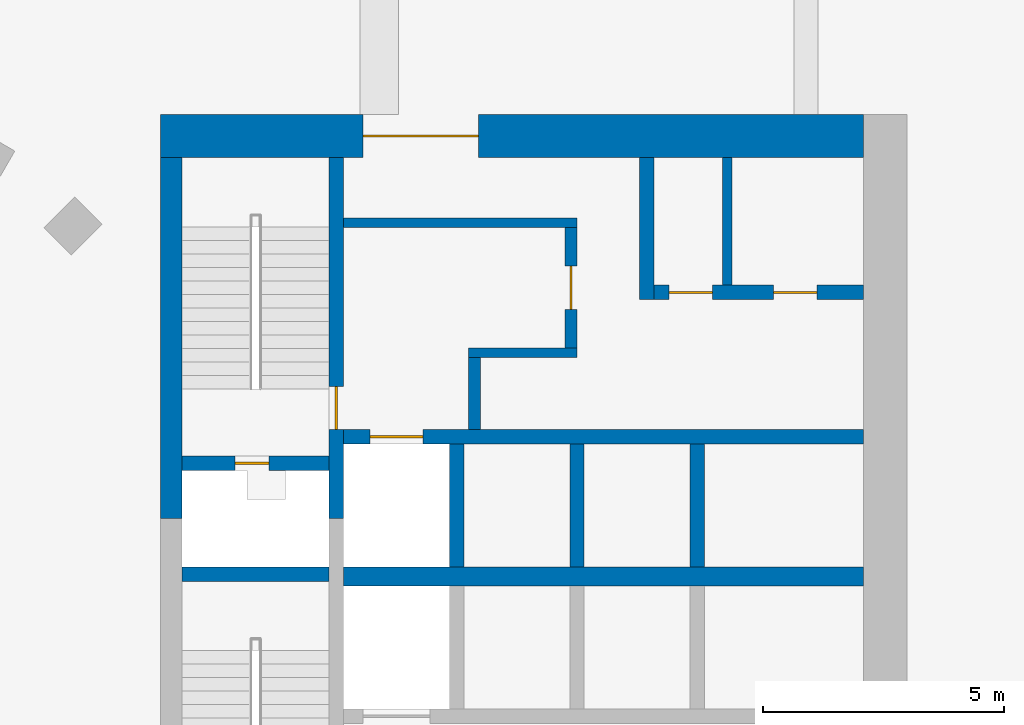
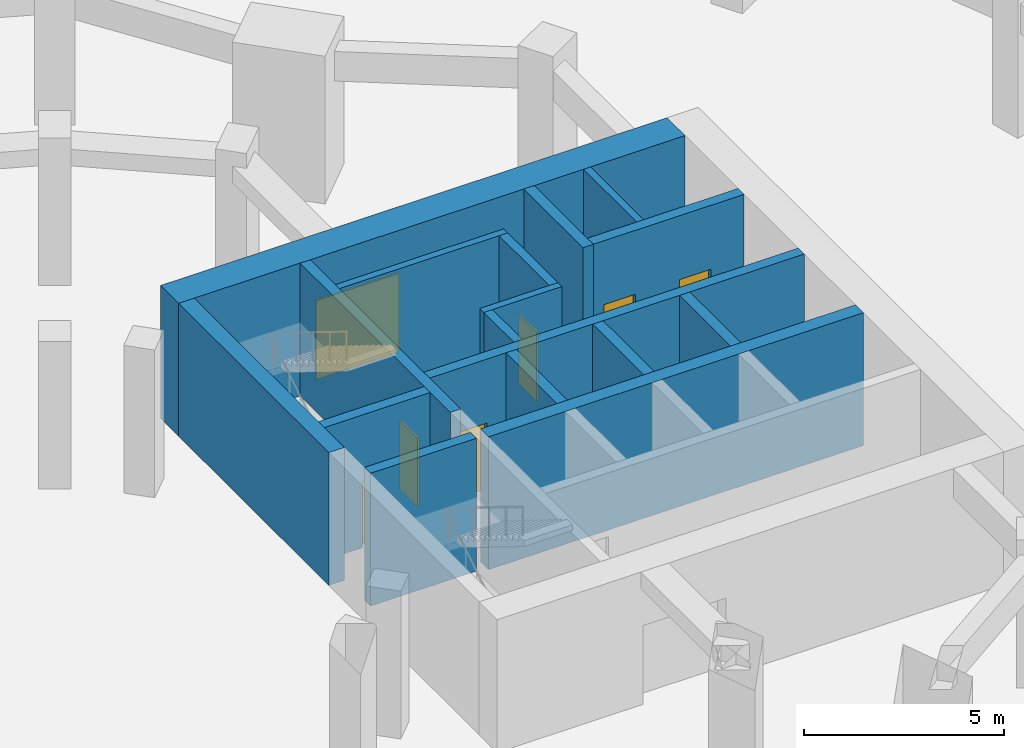
# One storey, part 5 of 7: 17 walls, 7 doors, 7 openings.
"""IFC4 building model written with IfcOpenShell, lengths in metres."""

from ifc_helpers import new_model, si_unit, direction, frame, frame_2d, origin, place, context, subcontext, project, spatial, rectangle, extrude, material, layer, layer_set, type_object, element, fill, save


model = new_model("IFC4")

# Units and contexts
model_context = context("Model", 3, precision=1e-05, world=origin(), true_north=direction((0.0, 1.0)))
body_context = subcontext(model_context, "Body", "Model", "MODEL_VIEW")
ifc_project = project(units=[si_unit("LENGTHUNIT", "METRE"), si_unit("AREAUNIT", "SQUARE_METRE"), si_unit("VOLUMEUNIT", "CUBIC_METRE"), si_unit("PLANEANGLEUNIT", "RADIAN"), si_unit("MASSUNIT", "GRAM", prefix="KILO")], contexts=[model_context])

# Site, building, storey
site_placement = place(None, origin())
site = spatial("IfcSite", under=ifc_project, at=site_placement, CompositionType="ELEMENT")
building_placement = place(site_placement, origin())
building = spatial("IfcBuilding", under=site, at=building_placement, Name="Torre Brocal", CompositionType="ELEMENT")
storey_placement = place(building_placement, frame((0.0, 0.0, -4.5)))
storey = spatial("IfcBuildingStorey", under=building, at=storey_placement, Name="B1", CompositionType="ELEMENT", Elevation=-4.5)

# Walls
ifc_material_1 = material(Name="Masonry block", Category="masonry")
ifc_layer_1 = layer(ifc_material_1, 0.199951171875)
ifc_layer_set_1 = layer_set([ifc_layer_1], Name="Masonry block")
wall_type_1 = type_object("IfcWallType", Name="CORE PARTITION 200 UNDER 450 SLAB", PredefinedType="PARTITIONING", material=ifc_layer_set_1)
wall_1_placement = place(storey_placement, frame((99.672607421875, 79.85009765625, 0.0), z_axis=(0.0, 0.0, 1.0), x_axis=(0.0, 1.0, 0.0)))
element("IfcWall", 1, at=wall_1_placement, inside=storey, type_object=wall_type_1, Name="Wall CP200-S450", PredefinedType="PARTITIONING", context=body_context, shape_type="SweptSolid", body=[
    extrude(rectangle(XDim=2.64990234375, YDim=0.199951171875, at=frame_2d((1.324951171875, 0.0))), origin(), (0.0, 0.0, 1.0), 4.050048828125),
])
ifc_material_2 = material(Name="Concrete C80", Category="concrete")
ifc_layer_2 = layer(ifc_material_2, 0.199951171875)
ifc_layer_set_2 = layer_set([ifc_layer_2], Name="Concrete C80")
wall_type_2 = type_object("IfcWallType", Name="CORE WALL 200 C80 UNDER 450 SLAB", PredefinedType="SHEAR", material=ifc_layer_set_2)
wall_2_placement = place(storey_placement, frame((91.699951171875, 81.14990234375, 0.0), z_axis=(0.0, 0.0, 1.0), x_axis=(1.0, 0.0, 0.0)))
element("IfcWall", 2, at=wall_2_placement, inside=storey, type_object=wall_type_2, Name="Wall CW200-80-S450", PredefinedType="SHEAR", context=body_context, shape_type="SweptSolid", body=[
    extrude(rectangle(XDim=4.85009765625, YDim=0.199951171875, at=frame_2d((2.425048828125, 0.0))), origin(), (0.0, 0.0, 1.0), 4.050048828125),
])
wall_3_placement = place(storey_placement, frame((94.300048828125, 78.449951171875, 0.0), z_axis=(0.0, 0.0, 1.0), x_axis=(1.0, 0.0, 0.0)))
element("IfcWall", 3, at=wall_3_placement, inside=storey, type_object=wall_type_2, Name="Wall CW200-80-S450", PredefinedType="SHEAR", context=body_context, shape_type="SweptSolid", body=[
    extrude(rectangle(XDim=2.25, YDim=0.199951171875, at=frame_2d((1.125, 0.0))), origin(), (0.0, 0.0, 1.0), 4.050048828125),
])

# Wall, opening, door
ifc_material_3 = material(Name="Concrete C80", Category="concrete")
ifc_layer_3 = layer(ifc_material_3, 0.25)
ifc_layer_set_3 = layer_set([ifc_layer_3], Name="Concrete C80")
wall_type_3 = type_object("IfcWallType", Name="CORE WALL 250 C80 UNDER 450 SLAB", PredefinedType="SHEAR", material=ifc_layer_set_3)
wall_4_placement = place(storey_placement, frame((96.425048828125, 78.550048828125, 0.0), z_axis=(0.0, 0.0, 1.0), x_axis=(0.0, 1.0, 0.0)))
wall_4 = element("IfcWall", 4, at=wall_4_placement, inside=storey, type_object=wall_type_3, Name="Wall CW250-80-S450", PredefinedType="SHEAR", context=body_context, shape_type="SweptSolid", body=[
    extrude(rectangle(XDim=2.5, YDim=0.25, at=frame_2d((1.25, 0.0))), origin(), (0.0, 0.0, 1.0), 4.050048828125),
])
opening_1_placement = place(wall_4_placement, frame((0.800048828125, 0.0, 0.0)))
opening_1 = element("IfcOpeningElement", 5, at=opening_1_placement, cuts=wall_4, Name="Opening E-D15", PredefinedType="OPENING", context=body_context, shape_type="SweptSolid", body=[
    extrude(rectangle(XDim=0.89990234375, YDim=2.10009765625, at=frame_2d((0.449951171875, 1.050048828125))), frame((0.0, 0.135009765625, 0.0), z_axis=(0.0, -1.0, 0.0), x_axis=(1.0, 0.0, 0.0)), (0.0, 0.0, 1.0), 0.27001953125),
])
ifc_material_4 = material(Name="Steel A653", Category="steel")
door_type_1 = type_object("IfcDoorType", Name="LOBBY DOOR FD120 900X2100", OperationType="SINGLE_SWING_RIGHT", PredefinedType="DOOR", material=ifc_material_4)
door_1_placement = place(opening_1_placement, origin())
door_1 = element("IfcDoor", 6, at=door_1_placement, inside=storey, type_object=door_type_1, Name="Door E-D15", OperationType="SINGLE_SWING_LEFT", OverallHeight=2.10009765625, OverallWidth=0.89990234375, PredefinedType="DOOR", context=body_context, shape_type="SweptSolid", body=[
    extrude(rectangle(XDim=0.89990234375, YDim=2.10009765625, at=frame_2d((0.449951171875, 1.050048828125))), frame((0.0, 0.02490234375, 0.0), z_axis=(0.0, -1.0, 0.0), x_axis=(1.0, 0.0, 0.0)), (0.0, 0.0, 1.0), 0.050048828125),
])
fill(opening_1, door_1)

# Wall
wall_5_placement = place(storey_placement, frame((94.425048828125, 76.85009765625, 0.0), z_axis=(0.0, 0.0, 1.0), x_axis=(0.0, 1.0, 0.0)))
element("IfcWall", 7, at=wall_5_placement, inside=storey, type_object=wall_type_3, Name="Wall CW250-80-S450", PredefinedType="SHEAR", context=body_context, shape_type="SweptSolid", body=[
    extrude(rectangle(XDim=1.5, YDim=0.25, at=frame_2d((0.75, 0.0))), origin(), (0.0, 0.0, 1.0), 4.050048828125),
])

# Wall, opening, door
ifc_material_5 = material(Name="Concrete C80", Category="concrete")
ifc_layer_4 = layer(ifc_material_5, 0.300048828125)
ifc_layer_set_4 = layer_set([ifc_layer_4], Name="Concrete C80")
wall_type_4 = type_object("IfcWallType", Name="CORE WALL 300 C80 UNDER 450 SLAB", PredefinedType="SHEAR", material=ifc_layer_set_4)
wall_6_placement = place(storey_placement, frame((91.550048828125, 75.0, 0.0), z_axis=(0.0, 0.0, 1.0), x_axis=(0.0, 1.0, 0.0)))
wall_6 = element("IfcWall", 8, at=wall_6_placement, inside=storey, type_object=wall_type_4, Name="Wall CW300-80-S450", PredefinedType="SHEAR", context=body_context, shape_type="SweptSolid", body=[
    extrude(rectangle(XDim=7.5, YDim=0.300048828125, at=frame_2d((3.75, 0.0))), origin(), (0.0, 0.0, 1.0), 4.050048828125),
])
opening_2_placement = place(wall_6_placement, frame((1.85009765625, 0.0, 0.0)))
opening_2 = element("IfcOpeningElement", 9, at=opening_2_placement, cuts=wall_6, Name="Opening E-D02", PredefinedType="OPENING", context=body_context, shape_type="SweptSolid", body=[
    extrude(rectangle(XDim=0.89990234375, YDim=2.10009765625, at=frame_2d((0.449951171875, 1.050048828125))), frame((0.0, 0.159912109375, 0.0), z_axis=(0.0, -1.0, 0.0), x_axis=(1.0, 0.0, 0.0)), (0.0, 0.0, 1.0), 0.320068359375),
])
ifc_material_6 = material(Name="Steel A653", Category="steel")
door_type_2 = type_object("IfcDoorType", Name="STAIR DOOR FD120 900X2100", OperationType="SINGLE_SWING_RIGHT", PredefinedType="DOOR", material=ifc_material_6)
door_2_placement = place(opening_2_placement, origin())
door_2 = element("IfcDoor", 10, at=door_2_placement, inside=storey, type_object=door_type_2, Name="Door E-D02", OperationType="SINGLE_SWING_LEFT", OverallHeight=2.10009765625, OverallWidth=0.89990234375, PredefinedType="DOOR", context=body_context, shape_type="SweptSolid", body=[
    extrude(rectangle(XDim=0.89990234375, YDim=2.10009765625, at=frame_2d((0.449951171875, 1.050048828125))), frame((0.0, 0.02490234375, 0.0), z_axis=(0.0, -1.0, 0.0), x_axis=(1.0, 0.0, 0.0)), (0.0, 0.0, 1.0), 0.050048828125),
])
fill(opening_2, door_2)

wall_7_placement = place(storey_placement, frame((88.35009765625, 76.14990234375, 0.0), z_axis=(0.0, 0.0, 1.0), x_axis=(1.0, 0.0, 0.0)))
wall_7 = element("IfcWall", 11, at=wall_7_placement, inside=storey, type_object=wall_type_4, Name="Wall CW300-80-S450", PredefinedType="SHEAR", context=body_context, shape_type="SweptSolid", body=[
    extrude(rectangle(XDim=3.0498046875, YDim=0.300048828125, at=frame_2d((1.52490234375, 0.0))), origin(), (0.0, 0.0, 1.0), 4.050048828125),
])
opening_3_placement = place(wall_7_placement, frame((1.10009765625, 0.0, 0.0)))
opening_3 = element("IfcOpeningElement", 12, at=opening_3_placement, cuts=wall_7, Name="Opening E-D01", PredefinedType="OPENING", context=body_context, shape_type="SweptSolid", body=[
    extrude(rectangle(XDim=0.699951171875, YDim=2.0, at=frame_2d((0.35009765625, 1.0))), frame((0.0, 0.159912109375, 0.0), z_axis=(0.0, -1.0, 0.0), x_axis=(1.0, 0.0, 0.0)), (0.0, 0.0, 1.0), 0.320068359375),
])
ifc_material_7 = material(Name="Steel A653", Category="steel")
door_type_3 = type_object("IfcDoorType", Name="RISER DOOR FD120 700X2000", OperationType="SINGLE_SWING_LEFT", PredefinedType="DOOR", material=ifc_material_7)
door_3_placement = place(opening_3_placement, frame((0.699951171875, 0.0, 0.0), z_axis=(0.0, 0.0, 1.0), x_axis=(-1.0, 0.0, 0.0)))
door_3 = element("IfcDoor", 13, at=door_3_placement, inside=storey, type_object=door_type_3, Name="Door E-D01", OperationType="SINGLE_SWING_RIGHT", OverallHeight=2.0, OverallWidth=0.699951171875, PredefinedType="DOOR", context=body_context, shape_type="SweptSolid", body=[
    extrude(rectangle(XDim=0.699951171875, YDim=2.0, at=frame_2d((0.35009765625, 1.0))), frame((0.0, 0.02490234375, 0.0), z_axis=(0.0, -1.0, 0.0), x_axis=(1.0, 0.0, 0.0)), (0.0, 0.0, 1.0), 0.050048828125),
])
fill(opening_3, door_3)

# Wall
wall_8_placement = place(storey_placement, frame((88.35009765625, 73.85009765625, 0.0), z_axis=(0.0, 0.0, 1.0), x_axis=(1.0, 0.0, 0.0)))
element("IfcWall", 14, at=wall_8_placement, inside=storey, type_object=wall_type_4, Name="Wall CW300-80-S450", PredefinedType="SHEAR", context=body_context, shape_type="SweptSolid", body=[
    extrude(rectangle(XDim=3.0498046875, YDim=0.300048828125, at=frame_2d((1.52490234375, 0.0))), origin(), (0.0, 0.0, 1.0), 4.050048828125),
])

# Wall, opening, door
wall_9_placement = place(storey_placement, frame((91.699951171875, 76.699951171875, 0.0), z_axis=(0.0, 0.0, 1.0), x_axis=(1.0, 0.0, 0.0)))
wall_9 = element("IfcWall", 15, at=wall_9_placement, inside=storey, type_object=wall_type_4, Name="Wall CW300-80-S450", PredefinedType="SHEAR", context=body_context, shape_type="SweptSolid", body=[
    extrude(rectangle(XDim=10.800048828125, YDim=0.300048828125, at=frame_2d((5.39990234375, 0.0))), origin(), (0.0, 0.0, 1.0), 4.050048828125),
])
opening_4_placement = place(wall_9_placement, frame((0.550048828125, 0.0, 0.0)))
opening_4 = element("IfcOpeningElement", 16, at=opening_4_placement, cuts=wall_9, Name="Opening LD", PredefinedType="OPENING", context=body_context, shape_type="SweptSolid", body=[
    extrude(rectangle(XDim=1.10009765625, YDim=2.10009765625, at=frame_2d((0.550048828125, 1.050048828125))), frame((0.0, 0.159912109375, 0.0), z_axis=(0.0, -1.0, 0.0), x_axis=(1.0, 0.0, 0.0)), (0.0, 0.0, 1.0), 0.320068359375),
])
ifc_material_8 = material(Name="Stainless steel AISI 316", Category="steel")
door_type_4 = type_object("IfcDoorType", Name="LIFT LANDING DOOR 1100X2100", OperationType="DOUBLE_DOOR_SLIDING", PredefinedType="DOOR", material=ifc_material_8)
door_4_placement = place(opening_4_placement, origin())
door_4 = element("IfcDoor", 17, at=door_4_placement, inside=storey, type_object=door_type_4, Name="Door LD", OperationType="DOUBLE_DOOR_SLIDING", OverallHeight=2.10009765625, OverallWidth=1.10009765625, PredefinedType="DOOR", context=body_context, shape_type="SweptSolid", body=[
    extrude(rectangle(XDim=1.10009765625, YDim=2.10009765625, at=frame_2d((0.550048828125, 1.050048828125))), frame((0.0, 0.02490234375, 0.0), z_axis=(0.0, -1.0, 0.0), x_axis=(1.0, 0.0, 0.0)), (0.0, 0.0, 1.0), 0.050048828125),
])
fill(opening_4, door_4)

# Walls
for number, where, z_axis, x_axis, name in (
    (18, (94.050048828125, 74.0, 0.0), (0.0, 0.0, 1.0), (0.0, 1.0, 0.0), "Wall CW300-80-S450"),
    (19, (96.550048828125, 74.0, 0.0), (0.0, 0.0, 1.0), (0.0, 1.0, 0.0), "Wall CW300-80-S450"),
    (20, (99.050048828125, 74.0, 0.0), (0.0, 0.0, 1.0), (0.0, 1.0, 0.0), "Wall CW300-80-S450"),
):
    element("IfcWall", number, at=place(storey_placement, frame(where, z_axis=z_axis, x_axis=x_axis)), inside=storey, type_object=wall_type_4, Name=name, PredefinedType="SHEAR", context=body_context, shape_type="SweptSolid", body=[
        extrude(rectangle(XDim=2.550048828125, YDim=0.300048828125, at=frame_2d((1.27490234375, 0.0))), origin(), (0.0, 0.0, 1.0), 4.050048828125),
    ])
wall_10_placement = place(storey_placement, frame((98.0, 79.550048828125, 0.0), z_axis=(0.0, 0.0, 1.0), x_axis=(0.0, 1.0, 0.0)))
element("IfcWall", 21, at=wall_10_placement, inside=storey, type_object=wall_type_4, Name="Wall CW300-80-S450", PredefinedType="SHEAR", context=body_context, shape_type="SweptSolid", body=[
    extrude(rectangle(XDim=2.949951171875, YDim=0.300048828125, at=frame_2d((1.47509765625, 0.0))), origin(), (0.0, 0.0, 1.0), 4.050048828125),
])

# Wall, openings, doors
wall_11_placement = place(storey_placement, frame((98.14990234375, 79.699951171875, 0.0), z_axis=(0.0, 0.0, 1.0), x_axis=(1.0, 0.0, 0.0)))
wall_11 = element("IfcWall", 22, at=wall_11_placement, inside=storey, type_object=wall_type_4, Name="Wall CW300-80-S450", PredefinedType="SHEAR", context=body_context, shape_type="SweptSolid", body=[
    extrude(rectangle(XDim=4.35009765625, YDim=0.300048828125, at=frame_2d((2.175048828125, 0.0))), origin(), (0.0, 0.0, 1.0), 4.050048828125),
])
opening_5_placement = place(wall_11_placement, frame((0.311279296875, 0.0, 0.0)))
opening_5 = element("IfcOpeningElement", 23, at=opening_5_placement, cuts=wall_11, Name="Opening E-D05", PredefinedType="OPENING", context=body_context, shape_type="SweptSolid", body=[
    extrude(rectangle(XDim=0.89990234375, YDim=2.10009765625, at=frame_2d((0.449951171875, 1.050048828125))), frame((0.0, 0.159912109375, 0.0), z_axis=(0.0, -1.0, 0.0), x_axis=(1.0, 0.0, 0.0)), (0.0, 0.0, 1.0), 0.320068359375),
])
opening_6_placement = place(wall_11_placement, frame((2.486083984375, 0.0, 0.0)))
opening_6 = element("IfcOpeningElement", 24, at=opening_6_placement, cuts=wall_11, Name="Opening E-D06", PredefinedType="OPENING", context=body_context, shape_type="SweptSolid", body=[
    extrude(rectangle(XDim=0.89990234375, YDim=2.10009765625, at=frame_2d((0.449951171875, 1.050048828125))), frame((0.0, 0.159912109375, 0.0), z_axis=(0.0, -1.0, 0.0), x_axis=(1.0, 0.0, 0.0)), (0.0, 0.0, 1.0), 0.320068359375),
])
ifc_material_9 = material(Name="Steel A653", Category="steel")
door_type_5 = type_object("IfcDoorType", Name="ROOM DOOR FD30S 900X2100", OperationType="SINGLE_SWING_LEFT", PredefinedType="DOOR", material=ifc_material_9)
door_5_placement = place(opening_5_placement, origin())
door_5 = element("IfcDoor", 25, at=door_5_placement, inside=storey, type_object=door_type_5, Name="Door E-D05", OperationType="SINGLE_SWING_RIGHT", OverallHeight=2.10009765625, OverallWidth=0.89990234375, PredefinedType="DOOR", context=body_context, shape_type="SweptSolid", body=[
    extrude(rectangle(XDim=0.89990234375, YDim=2.10009765625, at=frame_2d((0.449951171875, 1.050048828125))), frame((0.0, 0.02490234375, 0.0), z_axis=(0.0, -1.0, 0.0), x_axis=(1.0, 0.0, 0.0)), (0.0, 0.0, 1.0), 0.050048828125),
])
fill(opening_5, door_5)
door_6_placement = place(opening_6_placement, origin())
door_6 = element("IfcDoor", 26, at=door_6_placement, inside=storey, type_object=door_type_5, Name="Door E-D06", OperationType="SINGLE_SWING_LEFT", OverallHeight=2.10009765625, OverallWidth=0.89990234375, PredefinedType="DOOR", context=body_context, shape_type="SweptSolid", body=[
    extrude(rectangle(XDim=0.89990234375, YDim=2.10009765625, at=frame_2d((0.449951171875, 1.050048828125))), frame((0.0, 0.02490234375, 0.0), z_axis=(0.0, -1.0, 0.0), x_axis=(1.0, 0.0, 0.0)), (0.0, 0.0, 1.0), 0.050048828125),
])
fill(opening_6, door_6)

# Walls
ifc_material_10 = material(Name="Concrete C80", Category="concrete")
ifc_layer_5 = layer(ifc_material_10, 0.39990234375)
ifc_layer_set_5 = layer_set([ifc_layer_5], Name="Concrete C80")
wall_type_5 = type_object("IfcWallType", Name="CORE WALL 400 C80 UNDER 450 SLAB", PredefinedType="SHEAR", material=ifc_layer_set_5)
wall_12_placement = place(storey_placement, frame((91.699951171875, 73.800048828125, 0.0), z_axis=(0.0, 0.0, 1.0), x_axis=(1.0, 0.0, 0.0)))
element("IfcWall", 27, at=wall_12_placement, inside=storey, type_object=wall_type_5, Name="Wall CW400-80-S450", PredefinedType="SHEAR", context=body_context, shape_type="SweptSolid", body=[
    extrude(rectangle(XDim=10.800048828125, YDim=0.39990234375, at=frame_2d((5.39990234375, 0.0))), origin(), (0.0, 0.0, 1.0), 4.050048828125),
])
ifc_material_11 = material(Name="Concrete C80", Category="concrete")
ifc_layer_6 = layer(ifc_material_11, 0.449951171875)
ifc_layer_set_6 = layer_set([ifc_layer_6], Name="Concrete C80")
wall_type_6 = type_object("IfcWallType", Name="CORE WALL 450 C80 UNDER 450 SLAB", PredefinedType="SHEAR", material=ifc_layer_set_6)
wall_13_placement = place(storey_placement, frame((88.125, 75.0, 0.0), z_axis=(0.0, 0.0, 1.0), x_axis=(0.0, 1.0, 0.0)))
element("IfcWall", 28, at=wall_13_placement, inside=storey, type_object=wall_type_6, Name="Wall CW450-80-S450", PredefinedType="SHEAR", context=body_context, shape_type="SweptSolid", body=[
    extrude(rectangle(XDim=7.5, YDim=0.449951171875, at=frame_2d((3.75, 0.0))), origin(), (0.0, 0.0, 1.0), 4.050048828125),
])

# Wall, opening, door
ifc_material_12 = material(Name="Concrete C80", Category="concrete")
ifc_layer_7 = layer(ifc_material_12, 0.89990234375)
ifc_layer_set_7 = layer_set([ifc_layer_7], Name="Concrete C80")
wall_type_7 = type_object("IfcWallType", Name="CORE WALL 900 C80 UNDER 450 SLAB", PredefinedType="SHEAR", material=ifc_layer_set_7)
wall_14_placement = place(storey_placement, frame((87.89990234375, 82.949951171875, 0.0), z_axis=(0.0, 0.0, 1.0), x_axis=(1.0, 0.0, 0.0)))
wall_14 = element("IfcWall", 29, at=wall_14_placement, inside=storey, type_object=wall_type_7, Name="Wall CW900-80-S450", PredefinedType="SHEAR", context=body_context, shape_type="SweptSolid", body=[
    extrude(rectangle(XDim=14.60009765625, YDim=0.89990234375, at=frame_2d((7.300048828125, 0.0))), origin(), (0.0, 0.0, 1.0), 4.050048828125),
])
opening_7_placement = place(wall_14_placement, frame((4.199951171875, 0.0, 0.0)))
opening_7 = element("IfcOpeningElement", 30, at=opening_7_placement, cuts=wall_14, Name="Opening E-D24", PredefinedType="OPENING", context=body_context, shape_type="SweptSolid", body=[
    extrude(rectangle(XDim=2.39990234375, YDim=2.39990234375, at=frame_2d((1.199951171875, 1.199951171875))), frame((0.0, 0.4599609375, 0.0), z_axis=(0.0, -1.0, 0.0), x_axis=(1.0, 0.0, 0.0)), (0.0, 0.0, 1.0), 0.919921875),
])
ifc_material_13 = material(Name="Steel A653", Category="steel")
door_type_6 = type_object("IfcDoorType", Name="DOUBLE FIRE DOOR FD90 2400X2400", OperationType="DOUBLE_DOOR_SINGLE_SWING", PredefinedType="DOOR", material=ifc_material_13)
door_7_placement = place(opening_7_placement, frame((2.39990234375, 0.0, 0.0), z_axis=(0.0, 0.0, 1.0), x_axis=(-1.0, 0.0, 0.0)))
door_7 = element("IfcDoor", 31, at=door_7_placement, inside=storey, type_object=door_type_6, Name="Door E-D24", OperationType="DOUBLE_DOOR_SINGLE_SWING", OverallHeight=2.39990234375, OverallWidth=2.39990234375, PredefinedType="DOOR", context=body_context, shape_type="SweptSolid", body=[
    extrude(rectangle(XDim=2.39990234375, YDim=2.39990234375, at=frame_2d((1.199951171875, 1.199951171875))), frame((0.0, 0.02490234375, 0.0), z_axis=(0.0, -1.0, 0.0), x_axis=(1.0, 0.0, 0.0)), (0.0, 0.0, 1.0), 0.050048828125),
])
fill(opening_7, door_7)

save(model, "model.ifc")
